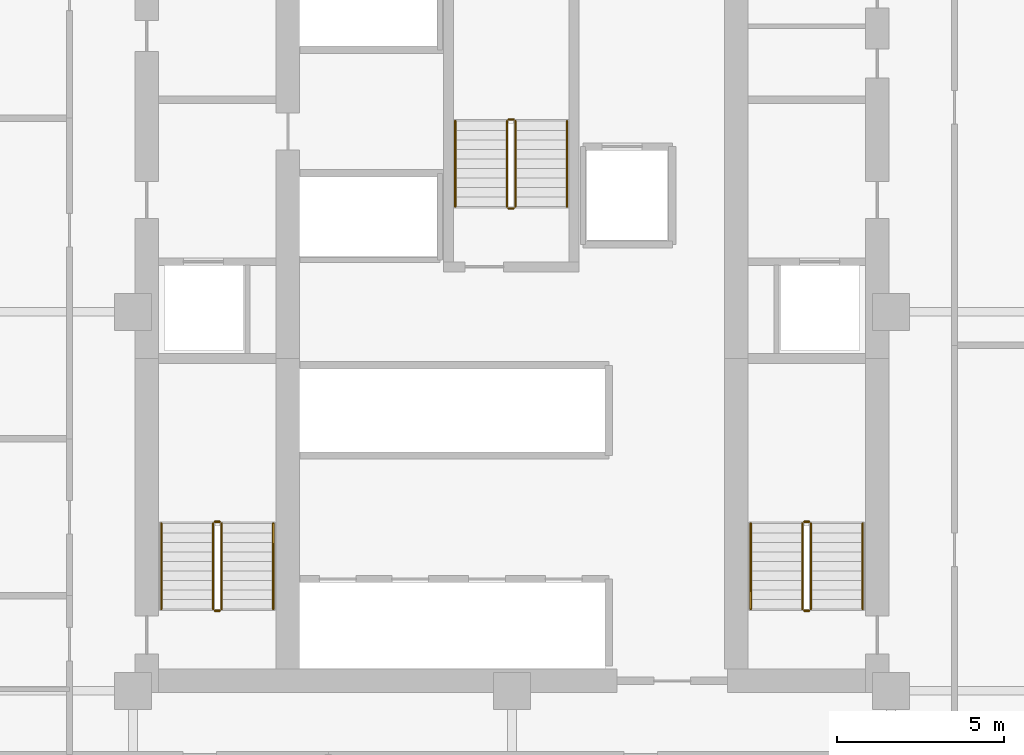
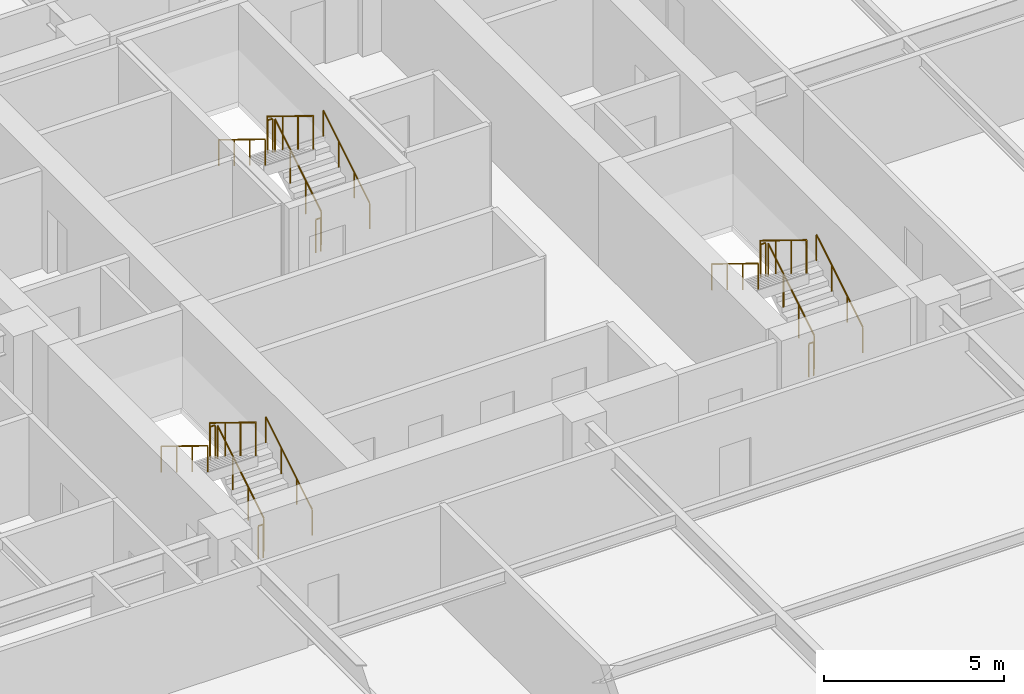
# One storey, part 6 of 6: 18 railings.
"""IFC4 building model written with IfcOpenShell, lengths in metres."""

import ifcopenshell
import ifcopenshell.guid

model = None  # the IFC model being written
_history = None  # IfcOwnerHistory: only IFC2X3 demands one
_inside = {}  # id of a spatial element -> (the spatial element, [elements in it])
_under = {}  # id of a project, library or spatial element -> (it, [spatial elements below it])
_declared = {}  # id of a project -> (the project, [libraries it declares])
_typed = {}  # id of a type object -> (the type object, [elements of that type])
_made_of = {}  # id of a material, layer set ... -> (it, [elements and type objects made of it])


def new_model(schema):
    """Start an empty IFC model of exactly this schema.

    Asked for "IFC4X3", IfcOpenShell would pick the latest addendum, in which some entities
    have other attributes; the version numbers below select the first issue.
    IFC2X3 requires an IfcOwnerHistory on every rooted entity: one is made here for all.
    """
    global model, _history
    if schema == "IFC4X3":
        model = ifcopenshell.file(schema_version=(4, 3, 0, 0))
    else:
        model = ifcopenshell.file(schema=schema)
    _inside.clear()
    _under.clear()
    _declared.clear()
    _typed.clear()
    _made_of.clear()
    _history = None
    if model.schema == "IFC2X3":
        org = make("IfcOrganization", Name="unknown")
        user = make(
            "IfcPersonAndOrganization",
            ThePerson=make("IfcPerson", FamilyName="unknown"),
            TheOrganization=org,
        )
        app = make(
            "IfcApplication",
            ApplicationDeveloper=org,
            Version="unknown",
            ApplicationFullName="unknown",
            ApplicationIdentifier="unknown",
        )
        _history = make(
            "IfcOwnerHistory",
            OwningUser=user,
            OwningApplication=app,
            ChangeAction="ADDED",
            CreationDate=0,
        )
    return model


def make(cls, **values):
    """One entity of the class cls with the attributes given. An attribute that is None is left unset."""
    return model.create_entity(
        cls, **{name: value for name, value in values.items() if value is not None}
    )


def rooted(cls, **values):
    """An entity with a GlobalId (a new one), such as an element, a storey or a relation."""
    return make(cls, GlobalId=ifcopenshell.guid.new(), OwnerHistory=_history, **values)


def si_unit(unit_type, name, prefix=None):
    """IfcSIUnit, for example si_unit("LENGTHUNIT", "METRE", prefix="MILLI")."""
    return make("IfcSIUnit", UnitType=unit_type, Prefix=prefix, Name=name)


def assignment(units):
    """IfcUnitAssignment: the units of a project."""
    return None if units is None else make("IfcUnitAssignment", Units=units)


def point(xyz):
    """IfcCartesianPoint."""
    return None if xyz is None else make("IfcCartesianPoint", Coordinates=xyz)


def direction(xyz):
    """IfcDirection."""
    return None if xyz is None else make("IfcDirection", DirectionRatios=xyz)


def frame(location, z_axis=None, x_axis=None):
    """IfcAxis2Placement3D, a coordinate frame: its origin and axes. An axis left out is left unset."""
    return make(
        "IfcAxis2Placement3D",
        Location=point(location),
        Axis=direction(z_axis),
        RefDirection=direction(x_axis),
    )


def frame_2d(location, x_axis=None):
    """IfcAxis2Placement2D, a coordinate frame in the plane: its origin and x axis."""
    return make(
        "IfcAxis2Placement2D", Location=point(location), RefDirection=direction(x_axis)
    )


def origin():
    """The frame at (0, 0, 0) with its axes left unset."""
    return frame((0.0, 0.0, 0.0))


def origin_2d():
    """The frame at (0, 0) in the plane with its x axis left unset."""
    return frame_2d((0.0, 0.0))


def place(relative_to, where):
    """IfcLocalPlacement: puts the frame where relative to a parent placement (None: the world)."""
    return make(
        "IfcLocalPlacement", PlacementRelTo=relative_to, RelativePlacement=where
    )


def context(
    kind, dimensions, precision=None, world=None, true_north=None, identifier=None
):
    """IfcGeometricRepresentationContext, for example the 3D "Model" context."""
    return make(
        "IfcGeometricRepresentationContext",
        ContextIdentifier=identifier,
        ContextType=kind,
        CoordinateSpaceDimension=dimensions,
        Precision=precision,
        WorldCoordinateSystem=world,
        TrueNorth=true_north,
    )


def subcontext(parent, identifier, kind, view, scale=None):
    """IfcGeometricRepresentationSubContext, for example "Body" below "Model"."""
    return make(
        "IfcGeometricRepresentationSubContext",
        ContextIdentifier=identifier,
        ContextType=kind,
        ParentContext=parent,
        TargetScale=scale,
        TargetView=view,
    )


def project(units=None, contexts=None):
    """IfcProject with its units and contexts."""
    return rooted(
        "IfcProject",
        Name="project",
        RepresentationContexts=contexts,
        UnitsInContext=assignment(units),
    )


def spatial(cls, under=None, at=None, **own):
    """A site, building, storey or space (cls), placed at a placement, below another one or the project."""
    s = rooted(cls, ObjectPlacement=at, **own)
    if under is not None:
        _under.setdefault(under.id(), (under, []))[1].append(s)
    return s


def profile(cls, at=None, kind="AREA", **sizes):
    """A parametric profile (cls). Its sizes go by their IFC names, for example OverallWidth=200.0."""
    return make(cls, ProfileType=kind, Position=at, **sizes)


def circle(**sizes):
    """IfcCircleProfileDef."""
    return profile("IfcCircleProfileDef", **sizes)


def extrude(swept, where, along, depth):
    """IfcExtrudedAreaSolid: the profile swept, set in the frame where, extruded along a direction by depth."""
    return make(
        "IfcExtrudedAreaSolid",
        SweptArea=swept,
        Position=where,
        ExtrudedDirection=direction(along),
        Depth=depth,
    )


def shape(context_of_items, identifier, shape_type, items):
    """IfcShapeRepresentation: the items that make up one representation, for example the "Body"."""
    return make(
        "IfcShapeRepresentation",
        ContextOfItems=context_of_items,
        RepresentationIdentifier=identifier,
        RepresentationType=shape_type,
        Items=items,
    )


def material(Name=None, Category=None):
    """IfcMaterial."""
    return make("IfcMaterial", Name=Name, Category=Category)


def made_of(thing, what):
    """Note that an element or type object is made of a material, layer set ...; save() writes the relation."""
    if what is not None:
        _made_of.setdefault(what.id(), (what, []))[1].append(thing)
    return thing


def type_object(cls, material=None, **own):
    """A type object (cls), such as IfcWallType, which elements share."""
    return made_of(rooted(cls, **own), material)


def element(
    cls,
    number,
    at=None,
    inside=None,
    cuts=None,
    type_object=None,
    material=None,
    context=None,
    identifier="Body",
    shape_type=None,
    held_by="IfcProductDefinitionShape",
    body=None,
    shapes=None,
    **own,
):
    """One element of the class cls, such as IfcWall. Its Tag is "e" and its number.

    at: its placement. inside: the storey or other place that contains it. cuts: it is an
    opening in that element (IfcRelVoidsElement). A single representation is given by context,
    identifier, shape_type and body (its items); several are given by shapes. held_by: the class
    of the entity that holds the representations. save() writes the other relations.
    """
    e = rooted(cls, Tag="e%d" % number, ObjectPlacement=at, **own)
    if body is not None:
        shapes = [shape(context, identifier, shape_type, body)]
    if shapes is not None:
        e.Representation = make(held_by, Representations=shapes)
    if inside is not None:
        _inside.setdefault(inside.id(), (inside, []))[1].append(e)
    if cuts is not None:
        rooted(
            "IfcRelVoidsElement", RelatingBuildingElement=cuts, RelatedOpeningElement=e
        )
    if type_object is not None:
        _typed.setdefault(type_object.id(), (type_object, []))[1].append(e)
    return made_of(e, material)


def aggregate(whole, parts):
    """IfcRelAggregates: a whole, such as a stair, and the parts it consists of."""
    return rooted("IfcRelAggregates", RelatingObject=whole, RelatedObjects=parts)


def save(model, path):
    """Write the relations noted so far, then the file.

    IfcRelAggregates (storeys below a building ...), IfcRelContainedInSpatialStructure (elements
    in a storey), IfcRelDefinesByType, IfcRelAssociatesMaterial and IfcRelDeclares: one each for
    every whole, place, type object, material and project.
    """
    for whole, parts in _under.values():
        aggregate(whole, parts)
    for where, things in _inside.values():
        rooted(
            "IfcRelContainedInSpatialStructure",
            RelatedElements=things,
            RelatingStructure=where,
        )
    for kind, things in _typed.values():
        rooted("IfcRelDefinesByType", RelatedObjects=things, RelatingType=kind)
    for what, things in _made_of.values():
        rooted("IfcRelAssociatesMaterial", RelatedObjects=things, RelatingMaterial=what)
    for by, libraries in _declared.values():
        rooted("IfcRelDeclares", RelatingContext=by, RelatedDefinitions=libraries)
    model.write(path)


model = new_model("IFC4")

# Units and contexts
model_context = context("Model", 3, precision=1e-05, world=origin(), true_north=direction((0.0, 1.0)))
body_context = subcontext(model_context, "Body", "Model", "MODEL_VIEW")
ifc_project = project(units=[si_unit("LENGTHUNIT", "METRE"), si_unit("AREAUNIT", "SQUARE_METRE"), si_unit("VOLUMEUNIT", "CUBIC_METRE"), si_unit("PLANEANGLEUNIT", "RADIAN"), si_unit("MASSUNIT", "GRAM", prefix="KILO")], contexts=[model_context])

# Site, building, storey
site_placement = place(None, origin())
site = spatial("IfcSite", under=ifc_project, at=site_placement, CompositionType="ELEMENT")
building_placement = place(site_placement, origin())
building = spatial("IfcBuilding", under=site, at=building_placement, Name="Nhamokura Convention Tower", CompositionType="ELEMENT")
storey_placement = place(building_placement, frame((0.0, 0.0, 82.25)))
storey = spatial("IfcBuildingStorey", under=building, at=storey_placement, Name="L19", CompositionType="ELEMENT", Elevation=82.25)

# Railings
ifc_material_1 = material(Name="Anodised bronze stainless steel", Category="steel")
railing_type_1 = type_object("IfcRailingType", Name="StairWallHandrail_900", PredefinedType="HANDRAIL", material=ifc_material_1)
railing_1_placement = place(storey_placement, frame((24.85009765625, 23.10009765625, 0.175048828125)))
element("IfcRailing", 1, at=railing_1_placement, inside=storey, type_object=railing_type_1, Name="L19 ST-01 stair handrail 1", PredefinedType="HANDRAIL", context=body_context, shape_type="SweptSolid", body=[
    extrude(circle(Radius=0.02392578125, at=origin_2d()), frame((0.0, 0.0, 0.8759765625), z_axis=(0.0, 0.852173129349, 0.523259933127), x_axis=(-1.0, 0.0, 0.0)), (0.0, 0.0, 1.0), 3.009765625),
    extrude(circle(Radius=0.02099609375, at=origin_2d()), origin(), (0.0, 0.0, 1.0), 0.851806640625),
    extrude(circle(Radius=0.02099609375, at=origin_2d()), frame((0.0, 0.85498046875, 0.52490234375)), (0.0, 0.0, 1.0), 0.851806640625),
    extrude(circle(Radius=0.02099609375, at=origin_2d()), frame((0.0, 1.7099609375, 1.050048828125)), (0.0, 0.0, 1.0), 0.851806640625),
    extrude(circle(Radius=0.02099609375, at=origin_2d()), frame((0.0, 2.56494140625, 1.574951171875)), (0.0, 0.0, 1.0), 0.851806640625),
])
railing_2_placement = place(storey_placement, frame((21.5, 25.6650390625, 1.925048828125)))
element("IfcRailing", 2, at=railing_2_placement, inside=storey, type_object=railing_type_1, Name="L19 ST-01 stair handrail 2", PredefinedType="HANDRAIL", context=body_context, shape_type="SweptSolid", body=[
    extrude(circle(Radius=0.02392578125, at=origin_2d()), frame((0.0, 0.0, 0.8759765625), z_axis=(0.0, -0.852173129349, 0.523259933127), x_axis=(1.0, 0.0, 0.0)), (0.0, 0.0, 1.0), 3.009765625),
    extrude(circle(Radius=0.02099609375, at=origin_2d()), origin(), (0.0, 0.0, 1.0), 0.851806640625),
    extrude(circle(Radius=0.02099609375, at=origin_2d()), frame((0.0, -0.85498046875, 0.52490234375)), (0.0, 0.0, 1.0), 0.851806640625),
    extrude(circle(Radius=0.02099609375, at=origin_2d()), frame((0.0, -1.7099609375, 1.050048828125)), (0.0, 0.0, 1.0), 0.851806640625),
    extrude(circle(Radius=0.02099609375, at=origin_2d()), frame((0.0, -2.56494140625, 1.574951171875)), (0.0, 0.0, 1.0), 0.851806640625),
])
railing_3_placement = place(storey_placement, frame((42.5, 23.10009765625, 0.175048828125)))
element("IfcRailing", 3, at=railing_3_placement, inside=storey, type_object=railing_type_1, Name="L19 ST-02 stair handrail 1", PredefinedType="HANDRAIL", context=body_context, shape_type="SweptSolid", body=[
    extrude(circle(Radius=0.02392578125, at=origin_2d()), frame((0.0, 0.0, 0.8759765625), z_axis=(0.0, 0.852173129349, 0.523259933127), x_axis=(-1.0, 0.0, 0.0)), (0.0, 0.0, 1.0), 3.009765625),
    extrude(circle(Radius=0.02099609375, at=origin_2d()), origin(), (0.0, 0.0, 1.0), 0.851806640625),
    extrude(circle(Radius=0.02099609375, at=origin_2d()), frame((0.0, 0.85498046875, 0.52490234375)), (0.0, 0.0, 1.0), 0.851806640625),
    extrude(circle(Radius=0.02099609375, at=origin_2d()), frame((0.0, 1.7099609375, 1.050048828125)), (0.0, 0.0, 1.0), 0.851806640625),
    extrude(circle(Radius=0.02099609375, at=origin_2d()), frame((0.0, 2.56494140625, 1.574951171875)), (0.0, 0.0, 1.0), 0.851806640625),
])
railing_4_placement = place(storey_placement, frame((39.14990234375, 25.6650390625, 1.925048828125)))
element("IfcRailing", 4, at=railing_4_placement, inside=storey, type_object=railing_type_1, Name="L19 ST-02 stair handrail 2", PredefinedType="HANDRAIL", context=body_context, shape_type="SweptSolid", body=[
    extrude(circle(Radius=0.02392578125, at=origin_2d()), frame((0.0, 0.0, 0.8759765625), z_axis=(0.0, -0.852173129349, 0.523259933127), x_axis=(1.0, 0.0, 0.0)), (0.0, 0.0, 1.0), 3.009765625),
    extrude(circle(Radius=0.02099609375, at=origin_2d()), origin(), (0.0, 0.0, 1.0), 0.851806640625),
    extrude(circle(Radius=0.02099609375, at=origin_2d()), frame((0.0, -0.85498046875, 0.52490234375)), (0.0, 0.0, 1.0), 0.851806640625),
    extrude(circle(Radius=0.02099609375, at=origin_2d()), frame((0.0, -1.7099609375, 1.050048828125)), (0.0, 0.0, 1.0), 0.851806640625),
    extrude(circle(Radius=0.02099609375, at=origin_2d()), frame((0.0, -2.56494140625, 1.574951171875)), (0.0, 0.0, 1.0), 0.851806640625),
])
railing_5_placement = place(storey_placement, frame((33.64990234375, 35.14990234375, 0.175048828125)))
element("IfcRailing", 5, at=railing_5_placement, inside=storey, type_object=railing_type_1, Name="L19 ST-03 stair handrail 1", PredefinedType="HANDRAIL", context=body_context, shape_type="SweptSolid", body=[
    extrude(circle(Radius=0.02392578125, at=origin_2d()), frame((0.0, 0.0, 0.8759765625), z_axis=(0.0, 0.852195335862, 0.523223766217), x_axis=(-1.0, 0.0, 0.0)), (0.0, 0.0, 1.0), 3.010009765625),
    extrude(circle(Radius=0.02099609375, at=origin_2d()), origin(), (0.0, 0.0, 1.0), 0.851806640625),
    extrude(circle(Radius=0.02099609375, at=origin_2d()), frame((0.0, 0.85498046875, 0.52490234375)), (0.0, 0.0, 1.0), 0.851806640625),
    extrude(circle(Radius=0.02099609375, at=origin_2d()), frame((0.0, 1.710205078125, 1.050048828125)), (0.0, 0.0, 1.0), 0.851806640625),
    extrude(circle(Radius=0.02099609375, at=origin_2d()), frame((0.0, 2.565185546875, 1.574951171875)), (0.0, 0.0, 1.0), 0.851806640625),
])
railing_6_placement = place(storey_placement, frame((30.300048828125, 37.715087890625, 1.925048828125)))
element("IfcRailing", 6, at=railing_6_placement, inside=storey, type_object=railing_type_1, Name="L19 ST-03 stair handrail 2", PredefinedType="HANDRAIL", context=body_context, shape_type="SweptSolid", body=[
    extrude(circle(Radius=0.02392578125, at=origin_2d()), frame((0.0, 0.0, 0.8759765625), z_axis=(0.0, -0.852195335862, 0.523223766217), x_axis=(1.0, 0.0, 0.0)), (0.0, 0.0, 1.0), 3.010009765625),
    extrude(circle(Radius=0.02099609375, at=origin_2d()), origin(), (0.0, 0.0, 1.0), 0.851806640625),
    extrude(circle(Radius=0.02099609375, at=origin_2d()), frame((0.0, -0.85498046875, 0.52490234375)), (0.0, 0.0, 1.0), 0.851806640625),
    extrude(circle(Radius=0.02099609375, at=origin_2d()), frame((0.0, -1.710205078125, 1.050048828125)), (0.0, 0.0, 1.0), 0.851806640625),
    extrude(circle(Radius=0.02099609375, at=origin_2d()), frame((0.0, -2.565185546875, 1.574951171875)), (0.0, 0.0, 1.0), 0.851806640625),
])
ifc_material_2 = material(Name="Painted tubular steel", Category="steel")
railing_type_2 = type_object("IfcRailingType", Name="StairWellGuardrail_1150", PredefinedType="GUARDRAIL", material=ifc_material_2)
railing_7_placement = place(storey_placement, frame((23.300048828125, 23.10009765625, 0.175048828125)))
element("IfcRailing", 7, at=railing_7_placement, inside=storey, type_object=railing_type_2, Name="L19 ST-01 stair guard 1", PredefinedType="GUARDRAIL", context=body_context, shape_type="SweptSolid", body=[
    extrude(circle(Radius=0.02392578125, at=origin_2d()), frame((0.0, 0.0, 1.1259765625), z_axis=(0.0, 0.852173129349, 0.523259933127), x_axis=(-1.0, 0.0, 0.0)), (0.0, 0.0, 1.0), 3.009765625),
    extrude(circle(Radius=0.02099609375, at=origin_2d()), origin(), (0.0, 0.0, 1.0), 1.101806640625),
    extrude(circle(Radius=0.02099609375, at=origin_2d()), frame((0.0, 0.85498046875, 0.52490234375)), (0.0, 0.0, 1.0), 1.101806640625),
    extrude(circle(Radius=0.02099609375, at=origin_2d()), frame((0.0, 1.7099609375, 1.050048828125)), (0.0, 0.0, 1.0), 1.101806640625),
    extrude(circle(Radius=0.02099609375, at=origin_2d()), frame((0.0, 2.56494140625, 1.574951171875)), (0.0, 0.0, 1.0), 1.101806640625),
])
railing_8_placement = place(storey_placement, frame((23.25, 25.715087890625, 1.75)))
element("IfcRailing", 8, at=railing_8_placement, inside=storey, type_object=railing_type_2, Name="L19 ST-01 stair guard 2", PredefinedType="GUARDRAIL", context=body_context, shape_type="SweptSolid", body=[
    extrude(circle(Radius=0.02392578125, at=origin_2d()), frame((0.0, 0.0, 1.1259765625), z_axis=(-1.0, 0.0, 0.0), x_axis=(0.0, -1.0, 0.0)), (0.0, 0.0, 1.0), 0.14990234375),
    extrude(circle(Radius=0.02099609375, at=origin_2d()), origin(), (0.0, 0.0, 1.0), 1.101806640625),
    extrude(circle(Radius=0.02099609375, at=origin_2d()), frame((-0.14990234375, 0.0, 0.0)), (0.0, 0.0, 1.0), 1.101806640625),
])
railing_9_placement = place(storey_placement, frame((23.050048828125, 25.6650390625, 1.925048828125)))
element("IfcRailing", 9, at=railing_9_placement, inside=storey, type_object=railing_type_2, Name="L19 ST-01 stair guard 3", PredefinedType="GUARDRAIL", context=body_context, shape_type="SweptSolid", body=[
    extrude(circle(Radius=0.02392578125, at=origin_2d()), frame((0.0, 0.0, 1.1259765625), z_axis=(0.0, -0.852173129349, 0.523259933127), x_axis=(1.0, 0.0, 0.0)), (0.0, 0.0, 1.0), 3.009765625),
    extrude(circle(Radius=0.02099609375, at=origin_2d()), origin(), (0.0, 0.0, 1.0), 1.101806640625),
    extrude(circle(Radius=0.02099609375, at=origin_2d()), frame((0.0, -0.85498046875, 0.52490234375)), (0.0, 0.0, 1.0), 1.101806640625),
    extrude(circle(Radius=0.02099609375, at=origin_2d()), frame((0.0, -1.7099609375, 1.050048828125)), (0.0, 0.0, 1.0), 1.101806640625),
    extrude(circle(Radius=0.02099609375, at=origin_2d()), frame((0.0, -2.56494140625, 1.574951171875)), (0.0, 0.0, 1.0), 1.101806640625),
])
railing_10_placement = place(storey_placement, frame((23.25, 23.050048828125, 0.0)))
element("IfcRailing", 10, at=railing_10_placement, inside=storey, type_object=railing_type_2, Name="L19 ST-01 stair guard 4", PredefinedType="GUARDRAIL", context=body_context, shape_type="SweptSolid", body=[
    extrude(circle(Radius=0.02392578125, at=origin_2d()), frame((0.0, 0.0, 1.1259765625), z_axis=(-1.0, 0.0, 0.0), x_axis=(0.0, -1.0, 0.0)), (0.0, 0.0, 1.0), 0.14990234375),
    extrude(circle(Radius=0.02099609375, at=origin_2d()), origin(), (0.0, 0.0, 1.0), 1.101806640625),
    extrude(circle(Radius=0.02099609375, at=origin_2d()), frame((-0.14990234375, 0.0, 0.0)), (0.0, 0.0, 1.0), 1.101806640625),
])
railing_11_placement = place(storey_placement, frame((40.949951171875, 23.10009765625, 0.175048828125)))
element("IfcRailing", 11, at=railing_11_placement, inside=storey, type_object=railing_type_2, Name="L19 ST-02 stair guard 1", PredefinedType="GUARDRAIL", context=body_context, shape_type="SweptSolid", body=[
    extrude(circle(Radius=0.02392578125, at=origin_2d()), frame((0.0, 0.0, 1.1259765625), z_axis=(0.0, 0.852173129349, 0.523259933127), x_axis=(-1.0, 0.0, 0.0)), (0.0, 0.0, 1.0), 3.009765625),
    extrude(circle(Radius=0.02099609375, at=origin_2d()), origin(), (0.0, 0.0, 1.0), 1.101806640625),
    extrude(circle(Radius=0.02099609375, at=origin_2d()), frame((0.0, 0.85498046875, 0.52490234375)), (0.0, 0.0, 1.0), 1.101806640625),
    extrude(circle(Radius=0.02099609375, at=origin_2d()), frame((0.0, 1.7099609375, 1.050048828125)), (0.0, 0.0, 1.0), 1.101806640625),
    extrude(circle(Radius=0.02099609375, at=origin_2d()), frame((0.0, 2.56494140625, 1.574951171875)), (0.0, 0.0, 1.0), 1.101806640625),
])
railing_12_placement = place(storey_placement, frame((40.89990234375, 25.715087890625, 1.75)))
element("IfcRailing", 12, at=railing_12_placement, inside=storey, type_object=railing_type_2, Name="L19 ST-02 stair guard 2", PredefinedType="GUARDRAIL", context=body_context, shape_type="SweptSolid", body=[
    extrude(circle(Radius=0.02392578125, at=origin_2d()), frame((0.0, 0.0, 1.1259765625), z_axis=(-1.0, 0.0, 0.0), x_axis=(0.0, -1.0, 0.0)), (0.0, 0.0, 1.0), 0.14990234375),
    extrude(circle(Radius=0.02099609375, at=origin_2d()), origin(), (0.0, 0.0, 1.0), 1.101806640625),
    extrude(circle(Radius=0.02099609375, at=origin_2d()), frame((-0.14990234375, 0.0, 0.0)), (0.0, 0.0, 1.0), 1.101806640625),
])
railing_13_placement = place(storey_placement, frame((40.699951171875, 25.6650390625, 1.925048828125)))
element("IfcRailing", 13, at=railing_13_placement, inside=storey, type_object=railing_type_2, Name="L19 ST-02 stair guard 3", PredefinedType="GUARDRAIL", context=body_context, shape_type="SweptSolid", body=[
    extrude(circle(Radius=0.02392578125, at=origin_2d()), frame((0.0, 0.0, 1.1259765625), z_axis=(0.0, -0.852173129349, 0.523259933127), x_axis=(1.0, 0.0, 0.0)), (0.0, 0.0, 1.0), 3.009765625),
    extrude(circle(Radius=0.02099609375, at=origin_2d()), origin(), (0.0, 0.0, 1.0), 1.101806640625),
    extrude(circle(Radius=0.02099609375, at=origin_2d()), frame((0.0, -0.85498046875, 0.52490234375)), (0.0, 0.0, 1.0), 1.101806640625),
    extrude(circle(Radius=0.02099609375, at=origin_2d()), frame((0.0, -1.7099609375, 1.050048828125)), (0.0, 0.0, 1.0), 1.101806640625),
    extrude(circle(Radius=0.02099609375, at=origin_2d()), frame((0.0, -2.56494140625, 1.574951171875)), (0.0, 0.0, 1.0), 1.101806640625),
])
railing_14_placement = place(storey_placement, frame((40.89990234375, 23.050048828125, 0.0)))
element("IfcRailing", 14, at=railing_14_placement, inside=storey, type_object=railing_type_2, Name="L19 ST-02 stair guard 4", PredefinedType="GUARDRAIL", context=body_context, shape_type="SweptSolid", body=[
    extrude(circle(Radius=0.02392578125, at=origin_2d()), frame((0.0, 0.0, 1.1259765625), z_axis=(-1.0, 0.0, 0.0), x_axis=(0.0, -1.0, 0.0)), (0.0, 0.0, 1.0), 0.14990234375),
    extrude(circle(Radius=0.02099609375, at=origin_2d()), origin(), (0.0, 0.0, 1.0), 1.101806640625),
    extrude(circle(Radius=0.02099609375, at=origin_2d()), frame((-0.14990234375, 0.0, 0.0)), (0.0, 0.0, 1.0), 1.101806640625),
])
railing_15_placement = place(storey_placement, frame((32.10009765625, 35.14990234375, 0.175048828125)))
element("IfcRailing", 15, at=railing_15_placement, inside=storey, type_object=railing_type_2, Name="L19 ST-03 stair guard 1", PredefinedType="GUARDRAIL", context=body_context, shape_type="SweptSolid", body=[
    extrude(circle(Radius=0.02392578125, at=origin_2d()), frame((0.0, 0.0, 1.1259765625), z_axis=(0.0, 0.852195335862, 0.523223766217), x_axis=(-1.0, 0.0, 0.0)), (0.0, 0.0, 1.0), 3.010009765625),
    extrude(circle(Radius=0.02099609375, at=origin_2d()), origin(), (0.0, 0.0, 1.0), 1.101806640625),
    extrude(circle(Radius=0.02099609375, at=origin_2d()), frame((0.0, 0.85498046875, 0.52490234375)), (0.0, 0.0, 1.0), 1.101806640625),
    extrude(circle(Radius=0.02099609375, at=origin_2d()), frame((0.0, 1.710205078125, 1.050048828125)), (0.0, 0.0, 1.0), 1.101806640625),
    extrude(circle(Radius=0.02099609375, at=origin_2d()), frame((0.0, 2.565185546875, 1.574951171875)), (0.0, 0.0, 1.0), 1.101806640625),
])
railing_16_placement = place(storey_placement, frame((32.050048828125, 37.764892578125, 1.75)))
element("IfcRailing", 16, at=railing_16_placement, inside=storey, type_object=railing_type_2, Name="L19 ST-03 stair guard 2", PredefinedType="GUARDRAIL", context=body_context, shape_type="SweptSolid", body=[
    extrude(circle(Radius=0.02392578125, at=origin_2d()), frame((0.0, 0.0, 1.1259765625), z_axis=(-1.0, 0.0, 0.0), x_axis=(0.0, -1.0, 0.0)), (0.0, 0.0, 1.0), 0.150146484375),
    extrude(circle(Radius=0.02099609375, at=origin_2d()), origin(), (0.0, 0.0, 1.0), 1.101806640625),
    extrude(circle(Radius=0.02099609375, at=origin_2d()), frame((-0.150146484375, 0.0, 0.0)), (0.0, 0.0, 1.0), 1.101806640625),
])
railing_17_placement = place(storey_placement, frame((31.85009765625, 37.715087890625, 1.925048828125)))
element("IfcRailing", 17, at=railing_17_placement, inside=storey, type_object=railing_type_2, Name="L19 ST-03 stair guard 3", PredefinedType="GUARDRAIL", context=body_context, shape_type="SweptSolid", body=[
    extrude(circle(Radius=0.02392578125, at=origin_2d()), frame((0.0, 0.0, 1.1259765625), z_axis=(0.0, -0.852195335862, 0.523223766217), x_axis=(1.0, 0.0, 0.0)), (0.0, 0.0, 1.0), 3.010009765625),
    extrude(circle(Radius=0.02099609375, at=origin_2d()), origin(), (0.0, 0.0, 1.0), 1.101806640625),
    extrude(circle(Radius=0.02099609375, at=origin_2d()), frame((0.0, -0.85498046875, 0.52490234375)), (0.0, 0.0, 1.0), 1.101806640625),
    extrude(circle(Radius=0.02099609375, at=origin_2d()), frame((0.0, -1.710205078125, 1.050048828125)), (0.0, 0.0, 1.0), 1.101806640625),
    extrude(circle(Radius=0.02099609375, at=origin_2d()), frame((0.0, -2.565185546875, 1.574951171875)), (0.0, 0.0, 1.0), 1.101806640625),
])
railing_18_placement = place(storey_placement, frame((32.050048828125, 35.10009765625, 0.0)))
element("IfcRailing", 18, at=railing_18_placement, inside=storey, type_object=railing_type_2, Name="L19 ST-03 stair guard 4", PredefinedType="GUARDRAIL", context=body_context, shape_type="SweptSolid", body=[
    extrude(circle(Radius=0.02392578125, at=origin_2d()), frame((0.0, 0.0, 1.1259765625), z_axis=(-1.0, 0.0, 0.0), x_axis=(0.0, -1.0, 0.0)), (0.0, 0.0, 1.0), 0.150146484375),
    extrude(circle(Radius=0.02099609375, at=origin_2d()), origin(), (0.0, 0.0, 1.0), 1.101806640625),
    extrude(circle(Radius=0.02099609375, at=origin_2d()), frame((-0.150146484375, 0.0, 0.0)), (0.0, 0.0, 1.0), 1.101806640625),
])

save(model, "model.ifc")
